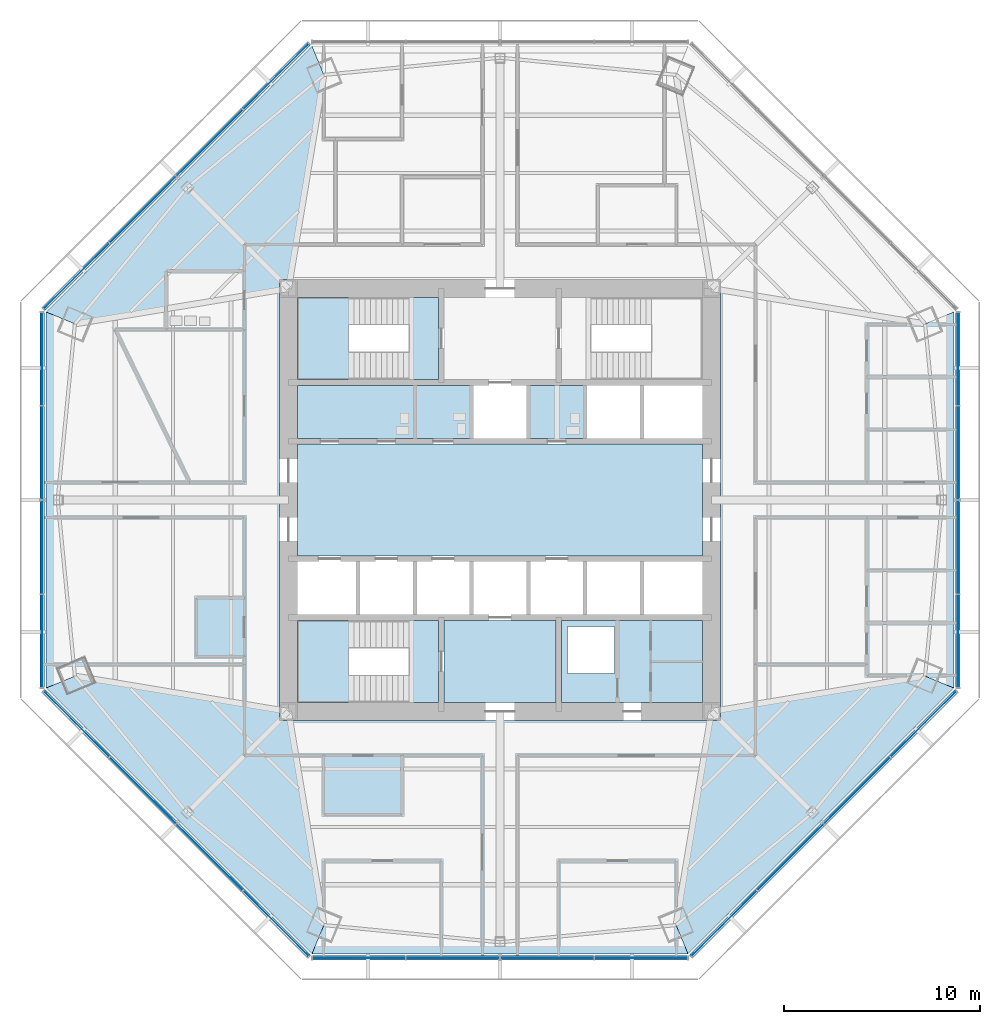
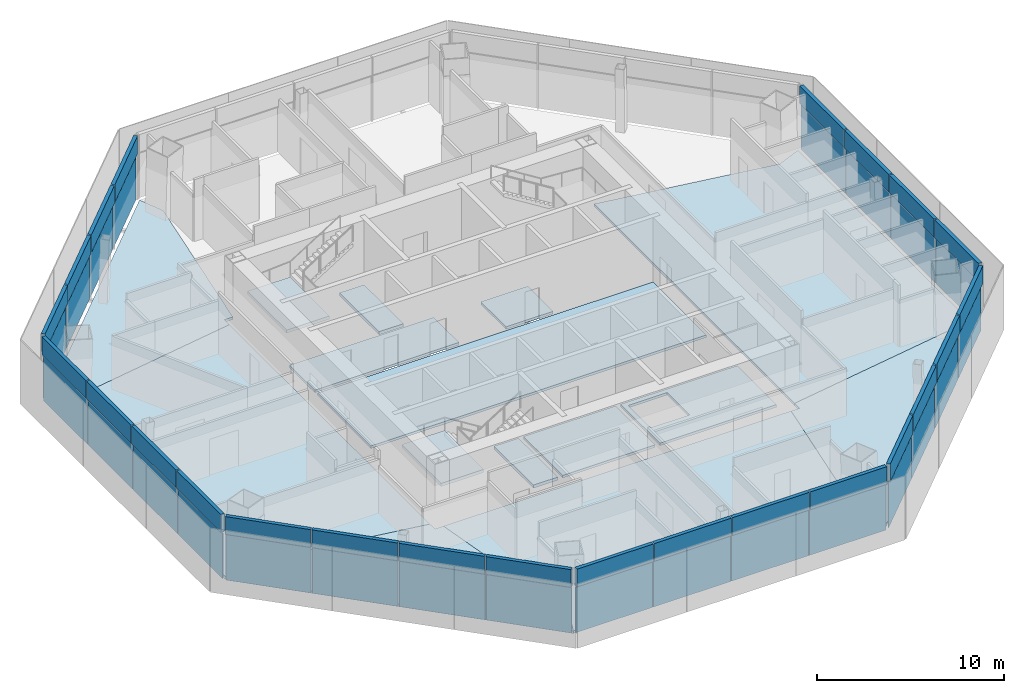
# One storey, part 7 of 15: 48 plates, 15 slabs, 8 elements without a shape of their own.
"""IFC4 building model written with IfcOpenShell, lengths in metres."""

from ifc_helpers import new_model, si_unit, direction, frame, origin, origin_2d, place, context, subcontext, project, spatial, polyline, rectangle, outline, extrude, source, transform, mapped, material, layer, layer_set, type_object, type_shapes, element, aggregate, save


model = new_model("IFC4")

# Units and contexts
model_context = context("Model", 3, precision=1e-05, world=origin(), true_north=direction((0.0, 1.0)))
body_context = subcontext(model_context, "Body", "Model", "MODEL_VIEW")
ifc_project = project(units=[si_unit("LENGTHUNIT", "METRE"), si_unit("AREAUNIT", "SQUARE_METRE"), si_unit("VOLUMEUNIT", "CUBIC_METRE"), si_unit("PLANEANGLEUNIT", "RADIAN"), si_unit("MASSUNIT", "GRAM", prefix="KILO")], contexts=[model_context])

# Site, building, storey
site_placement = place(None, origin())
site = spatial("IfcSite", under=ifc_project, at=site_placement, CompositionType="ELEMENT")
building_placement = place(site_placement, origin())
building = spatial("IfcBuilding", under=site, at=building_placement, Name="Mashrafa Tower", CompositionType="ELEMENT")
storey_placement = place(building_placement, frame((0.0, 0.0, 163.800048828125)))
storey = spatial("IfcBuildingStorey", under=building, at=storey_placement, Name="L37", CompositionType="ELEMENT", Elevation=163.800048828125)

# Slabs
ifc_material_1 = material(Name="Concrete C35/45", Category="concrete")
ifc_layer_1 = layer(ifc_material_1, 0.1650390625)
ifc_layer_set_1 = layer_set([ifc_layer_1], Name="Floor slab 165")
slab_type_1 = type_object("IfcSlabType", Name="Floor slab 165", PredefinedType="FLOOR", material=ifc_layer_set_1)
slab_1_placement = place(storey_placement, frame((0.0, 0.0, -0.1650390625)))
element("IfcSlab", 1, at=slab_1_placement, inside=storey, type_object=slab_type_1, Name="Floor slab L37 east bay", PredefinedType="FLOOR", context=body_context, shape_type="SweptSolid", body=[
    extrude(outline(polyline([(23.18115234375, -9.601806640625), (21.70751953125, -8.991455078125), (11.25, -10.725341796875), (11.25, 10.725341796875), (21.70751953125, 8.991455078125), (23.18115234375, 9.601806640625), (23.18115234375, -9.601806640625)])), origin(), (0.0, 0.0, 1.0), 0.1650390625),
])
slab_2_placement = place(storey_placement, frame((0.0, 0.0, -0.1650390625)))
element("IfcSlab", 2, at=slab_2_placement, inside=storey, type_object=slab_type_1, Name="Floor slab L37 north-west bay", PredefinedType="FLOOR", context=body_context, shape_type="SweptSolid", body=[
    extrude(outline(polyline([(-23.18115234375, 9.601806640625), (-9.601806640625, 23.18115234375), (-9.601806640625, 23.18115234375), (-8.991455078125, 21.70751953125), (-10.725341796875, 11.25), (-11.25, 11.25), (-11.25, 10.725341796875), (-21.70751953125, 8.991455078125), (-23.18115234375, 9.601806640625), (-23.18115234375, 9.601806640625)])), origin(), (0.0, 0.0, 1.0), 0.1650390625),
])
slab_3_placement = place(storey_placement, frame((0.0, 0.0, -0.1650390625)))
element("IfcSlab", 3, at=slab_3_placement, inside=storey, type_object=slab_type_1, Name="Floor slab L37 west bay", PredefinedType="FLOOR", context=body_context, shape_type="SweptSolid", body=[
    extrude(outline(polyline([(-23.18115234375, 9.601806640625), (-21.70751953125, 8.991455078125), (-11.25, 10.725341796875), (-11.25, -10.725341796875), (-21.70751953125, -8.991455078125), (-23.18115234375, -9.601806640625), (-23.18115234375, 9.601806640625)])), origin(), (0.0, 0.0, 1.0), 0.1650390625),
])
slab_4_placement = place(storey_placement, frame((0.0, 0.0, -0.1650390625)))
element("IfcSlab", 4, at=slab_4_placement, inside=storey, type_object=slab_type_1, Name="Floor slab L37 south-west bay", PredefinedType="FLOOR", context=body_context, shape_type="SweptSolid", body=[
    extrude(outline(polyline([(-9.601806640625, -23.18115234375), (-23.18115234375, -9.601806640625), (-23.18115234375, -9.601806640625), (-21.70751953125, -8.991455078125), (-11.25, -10.725341796875), (-11.25, -11.25), (-10.725341796875, -11.25), (-8.991455078125, -21.70751953125), (-9.601806640625, -23.18115234375), (-9.601806640625, -23.18115234375)])), origin(), (0.0, 0.0, 1.0), 0.1650390625),
])
slab_5_placement = place(storey_placement, frame((0.0, 0.0, -0.1650390625)))
element("IfcSlab", 5, at=slab_5_placement, inside=storey, type_object=slab_type_1, Name="Floor slab L37 south bay", PredefinedType="FLOOR", context=body_context, shape_type="SweptSolid", body=[
    extrude(outline(polyline([(-9.601806640625, -23.18115234375), (-8.991455078125, -21.70751953125), (-10.725341796875, -11.25), (10.725341796875, -11.25), (8.991455078125, -21.70751953125), (9.601806640625, -23.18115234375), (-9.601806640625, -23.18115234375)])), origin(), (0.0, 0.0, 1.0), 0.1650390625),
])
slab_6_placement = place(storey_placement, frame((0.0, 0.0, -0.1650390625)))
element("IfcSlab", 6, at=slab_6_placement, inside=storey, type_object=slab_type_1, Name="Floor slab L37 south-east bay", PredefinedType="FLOOR", context=body_context, shape_type="SweptSolid", body=[
    extrude(outline(polyline([(9.601806640625, -23.18115234375), (8.991455078125, -21.70751953125), (10.725341796875, -11.25), (11.25, -11.25), (11.25, -10.725341796875), (21.70751953125, -8.991455078125), (23.18115234375, -9.601806640625), (23.18115234375, -9.601806640625), (9.601806640625, -23.18115234375), (9.601806640625, -23.18115234375)])), origin(), (0.0, 0.0, 1.0), 0.1650390625),
])
slab_7_placement = place(storey_placement, frame((0.0, 0.0, -0.1650390625)))
element("IfcSlab", 7, at=slab_7_placement, inside=storey, type_object=slab_type_1, Name="Core floor lift hall L37", PredefinedType="FLOOR", context=body_context, shape_type="SweptSolid", body=[
    extrude(outline(polyline([(-10.35009765625, 2.85009765625), (10.35009765625, 2.85009765625), (10.35009765625, -2.85009765625), (-10.35009765625, -2.85009765625), (-10.35009765625, 2.85009765625)])), origin(), (0.0, 0.0, 1.0), 0.1650390625),
])
slab_8_placement = place(storey_placement, frame((0.0, 0.0, -0.1650390625)))
element("IfcSlab", 8, at=slab_8_placement, inside=storey, type_object=slab_type_1, Name="Core floor riser and electrical band L37", PredefinedType="FLOOR", context=body_context, shape_type="SweptSolid", body=[
    extrude(outline(polyline([(10.35009765625, -6.14990234375), (10.35009765625, -10.35009765625), (3.14990234375, -10.35009765625), (3.14990234375, -6.14990234375), (10.35009765625, -6.14990234375)]), holes=[polyline([(3.449951171875, -8.85009765625), (5.85009765625, -8.85009765625), (5.85009765625, -6.449951171875), (3.449951171875, -6.449951171875), (3.449951171875, -8.85009765625)])]), origin(), (0.0, 0.0, 1.0), 0.1650390625),
])
slab_9_placement = place(storey_placement, frame((0.0, 0.0, -0.1650390625)))
element("IfcSlab", 9, at=slab_9_placement, inside=storey, type_object=slab_type_1, Name="Core floor lift cell L37", PredefinedType="FLOOR", context=body_context, shape_type="SweptSolid", body=[
    extrude(outline(polyline([(-1.449951171875, 3.14990234375), (-10.35009765625, 3.14990234375), (-10.35009765625, 5.85009765625), (-1.449951171875, 5.85009765625), (-1.449951171875, 3.14990234375)])), origin(), (0.0, 0.0, 1.0), 0.1650390625),
])
slab_10_placement = place(storey_placement, frame((0.0, 0.0, -0.1650390625)))
element("IfcSlab", 10, at=slab_10_placement, inside=storey, type_object=slab_type_1, Name="Core floor fire-fighting lobby south L37", PredefinedType="FLOOR", context=body_context, shape_type="SweptSolid", body=[
    extrude(outline(polyline([(2.85009765625, -6.14990234375), (2.85009765625, -10.35009765625), (-2.85009765625, -10.35009765625), (-2.85009765625, -6.14990234375), (2.85009765625, -6.14990234375)])), origin(), (0.0, 0.0, 1.0), 0.1650390625),
])
slab_11_placement = place(storey_placement, frame((0.0, 0.0, -0.1650390625)))
element("IfcSlab", 11, at=slab_11_placement, inside=storey, type_object=slab_type_1, Name="Core floor lift cell L37", PredefinedType="FLOOR", context=body_context, shape_type="SweptSolid", body=[
    extrude(outline(polyline([(4.35009765625, 5.85009765625), (4.35009765625, 3.14990234375), (1.449951171875, 3.14990234375), (1.449951171875, 5.85009765625), (4.35009765625, 5.85009765625)])), origin(), (0.0, 0.0, 1.0), 0.1650390625),
])

# Stair, slabs
ifc_material_2 = material(Name="Exit stair 1400")
stair_type = type_object("IfcStairType", Name="Exit stair 1400", PredefinedType="HALF_TURN_STAIR", material=ifc_material_2)
stair_1_placement = place(storey_placement, origin())
stair_1 = element("IfcStair", 12, at=stair_1_placement, inside=storey, type_object=stair_type, Name="Stair S1 L37", PredefinedType="HALF_TURN_STAIR")
ifc_material_3 = material(Name="Concrete C32/40", Category="concrete")
ifc_layer_2 = layer(ifc_material_3, 0.199951171875)
ifc_layer_set_2 = layer_set([ifc_layer_2], Name="Stair landing 200")
slab_type_2 = type_object("IfcSlabType", Name="Stair landing 200", PredefinedType="LANDING", material=ifc_layer_set_2)
slab_12_placement = place(storey_placement, frame((0.0, 0.0, -0.199951171875)))
slab_12 = element("IfcSlab", 13, at=slab_12_placement, type_object=slab_type_2, Name="S1 landing 1", PredefinedType="LANDING", context=body_context, shape_type="SweptSolid", body=[
    extrude(outline(polyline([(-4.659912109375, 6.14990234375), (-3.14990234375, 6.14990234375), (-3.14990234375, 10.35009765625), (-4.659912109375, 10.35009765625), (-4.659912109375, 6.14990234375)])), origin(), (0.0, 0.0, 1.0), 0.199951171875),
])
slab_13_placement = place(storey_placement, frame((0.0, 0.0, 1.89990234375)))
slab_13 = element("IfcSlab", 14, at=slab_13_placement, type_object=slab_type_2, Name="S1 landing 2", PredefinedType="LANDING", context=body_context, shape_type="SweptSolid", body=[
    extrude(outline(polyline([(-10.35009765625, 6.14990234375), (-7.719970703125, 6.14990234375), (-7.719970703125, 10.35009765625), (-10.35009765625, 10.35009765625), (-10.35009765625, 6.14990234375)])), origin(), (0.0, 0.0, 1.0), 0.199951171875),
])
aggregate(stair_1, [slab_12, slab_13])

stair_2_placement = place(storey_placement, origin())
stair_2 = element("IfcStair", 15, at=stair_2_placement, inside=storey, type_object=stair_type, Name="Stair S3 L37", PredefinedType="HALF_TURN_STAIR")
slab_14_placement = place(storey_placement, frame((0.0, 0.0, -0.199951171875)))
slab_14 = element("IfcSlab", 16, at=slab_14_placement, type_object=slab_type_2, Name="S3 landing 1", PredefinedType="LANDING", context=body_context, shape_type="SweptSolid", body=[
    extrude(outline(polyline([(-4.659912109375, -10.35009765625), (-3.14990234375, -10.35009765625), (-3.14990234375, -6.14990234375), (-4.659912109375, -6.14990234375), (-4.659912109375, -10.35009765625)])), origin(), (0.0, 0.0, 1.0), 0.199951171875),
])
slab_15_placement = place(storey_placement, frame((0.0, 0.0, 1.89990234375)))
slab_15 = element("IfcSlab", 17, at=slab_15_placement, type_object=slab_type_2, Name="S3 landing 2", PredefinedType="LANDING", context=body_context, shape_type="SweptSolid", body=[
    extrude(outline(polyline([(-10.35009765625, -10.35009765625), (-7.719970703125, -10.35009765625), (-7.719970703125, -6.14990234375), (-10.35009765625, -6.14990234375), (-10.35009765625, -10.35009765625)])), origin(), (0.0, 0.0, 1.0), 0.199951171875),
])
aggregate(stair_2, [slab_14, slab_15])

# Curtain wall, plates
ifc_material_4 = material(Name="Unitised aluminium curtain wall", Category="aluminium")
curtain_wall_type = type_object("IfcCurtainWallType", Name="Office curtain wall, zone 2 CW-B 225 deep", PredefinedType="NOTDEFINED", material=ifc_material_4)
curtain_wall_1_placement = place(storey_placement, origin())
curtain_wall_1 = element("IfcCurtainWall", 18, at=curtain_wall_1_placement, inside=storey, type_object=curtain_wall_type, Name="Office curtain wall, zone 2 L37 east", PredefinedType="NOTDEFINED")
ifc_material_5 = material(Name="Insulated double glazing, low-e, neutral", Category="glass")
ifc_layer_3 = layer(ifc_material_5, 0.028076171875)
ifc_layer_set_3 = layer_set([ifc_layer_3], Name="Vision panel CW-B 28")
plate_type_1 = type_object("IfcPlateType", Name="Vision panel CW-B 28", PredefinedType="CURTAIN_PANEL", material=ifc_layer_set_3)
shared_shape_1 = source(origin(), body_context, "Body", "SweptSolid", [
    extrude(rectangle(XDim=4.716552734375, YDim=0.028076171875, at=origin_2d()), origin(), (0.0, 0.0, 1.0), 2.9599609375),
])
plate_1_placement = place(storey_placement, frame((23.381103515625, -7.204833984375, 0.0), z_axis=(0.0, 0.0, 1.0), x_axis=(0.0, 1.0, 0.0)))
plate_1 = element("IfcPlate", 19, at=plate_1_placement, type_object=plate_type_1, Name="CW-B vision panel 1", PredefinedType="CURTAIN_PANEL", context=body_context, shape_type="MappedRepresentation", body=[
    mapped(shared_shape_1, transform((0.0, 0.0, 0.0))),
])
plate_2_placement = place(storey_placement, frame((23.381103515625, 7.204833984375, 0.0), z_axis=(0.0, 0.0, 1.0), x_axis=(0.0, 1.0, 0.0)))
plate_2 = element("IfcPlate", 20, at=plate_2_placement, type_object=plate_type_1, Name="CW-B vision panel 4", PredefinedType="CURTAIN_PANEL", context=body_context, shape_type="MappedRepresentation", body=[
    mapped(shared_shape_1, transform((0.0, 0.0, 0.0))),
])

curtain_wall_2_placement = place(storey_placement, origin())
curtain_wall_2 = element("IfcCurtainWall", 21, at=curtain_wall_2_placement, inside=storey, type_object=curtain_wall_type, Name="Office curtain wall, zone 2 L37 north-west", PredefinedType="NOTDEFINED")
plate_3_placement = place(storey_placement, frame((-11.438232421875, 21.62744140625, 0.0), z_axis=(0.0, 0.0, 1.0), x_axis=(-0.707106781187, -0.707106781187, 0.0)))
plate_3 = element("IfcPlate", 22, at=plate_3_placement, type_object=plate_type_1, Name="CW-B vision panel 1", PredefinedType="CURTAIN_PANEL", context=body_context, shape_type="MappedRepresentation", body=[
    mapped(shared_shape_1, transform((0.0, 0.0, 0.0))),
])
plate_4_placement = place(storey_placement, frame((-21.62744140625, 11.438232421875, 0.0), z_axis=(0.0, 0.0, 1.0), x_axis=(-0.707106781187, -0.707106781187, 0.0)))
plate_4 = element("IfcPlate", 23, at=plate_4_placement, type_object=plate_type_1, Name="CW-B vision panel 4", PredefinedType="CURTAIN_PANEL", context=body_context, shape_type="MappedRepresentation", body=[
    mapped(shared_shape_1, transform((0.0, 0.0, 0.0))),
])

curtain_wall_3_placement = place(storey_placement, origin())
curtain_wall_3 = element("IfcCurtainWall", 24, at=curtain_wall_3_placement, inside=storey, type_object=curtain_wall_type, Name="Office curtain wall, zone 2 L37 west", PredefinedType="NOTDEFINED")
plate_5_placement = place(storey_placement, frame((-23.381103515625, 7.204833984375, 0.0), z_axis=(0.0, 0.0, 1.0), x_axis=(0.0, -1.0, 0.0)))
plate_5 = element("IfcPlate", 25, at=plate_5_placement, type_object=plate_type_1, Name="CW-B vision panel 1", PredefinedType="CURTAIN_PANEL", context=body_context, shape_type="MappedRepresentation", body=[
    mapped(shared_shape_1, transform((0.0, 0.0, 0.0))),
])
plate_6_placement = place(storey_placement, frame((-23.381103515625, -7.204833984375, 0.0), z_axis=(0.0, 0.0, 1.0), x_axis=(0.0, -1.0, 0.0)))
plate_6 = element("IfcPlate", 26, at=plate_6_placement, type_object=plate_type_1, Name="CW-B vision panel 4", PredefinedType="CURTAIN_PANEL", context=body_context, shape_type="MappedRepresentation", body=[
    mapped(shared_shape_1, transform((0.0, 0.0, 0.0))),
])

curtain_wall_4_placement = place(storey_placement, origin())
curtain_wall_4 = element("IfcCurtainWall", 27, at=curtain_wall_4_placement, inside=storey, type_object=curtain_wall_type, Name="Office curtain wall, zone 2 L37 south-west", PredefinedType="NOTDEFINED")
plate_7_placement = place(storey_placement, frame((-21.62744140625, -11.438232421875, 0.0), z_axis=(0.0, 0.0, 1.0), x_axis=(0.707106781187, -0.707106781187, 0.0)))
plate_7 = element("IfcPlate", 28, at=plate_7_placement, type_object=plate_type_1, Name="CW-B vision panel 1", PredefinedType="CURTAIN_PANEL", context=body_context, shape_type="MappedRepresentation", body=[
    mapped(shared_shape_1, transform((0.0, 0.0, 0.0))),
])
plate_8_placement = place(storey_placement, frame((-11.438232421875, -21.62744140625, 0.0), z_axis=(0.0, 0.0, 1.0), x_axis=(0.707106781187, -0.707106781187, 0.0)))
plate_8 = element("IfcPlate", 29, at=plate_8_placement, type_object=plate_type_1, Name="CW-B vision panel 4", PredefinedType="CURTAIN_PANEL", context=body_context, shape_type="MappedRepresentation", body=[
    mapped(shared_shape_1, transform((0.0, 0.0, 0.0))),
])

curtain_wall_5_placement = place(storey_placement, origin())
curtain_wall_5 = element("IfcCurtainWall", 30, at=curtain_wall_5_placement, inside=storey, type_object=curtain_wall_type, Name="Office curtain wall, zone 2 L37 south", PredefinedType="NOTDEFINED")
plate_9_placement = place(storey_placement, frame((-7.204833984375, -23.381103515625, 0.0), z_axis=(0.0, 0.0, 1.0), x_axis=(1.0, 0.0, 0.0)))
plate_9 = element("IfcPlate", 31, at=plate_9_placement, type_object=plate_type_1, Name="CW-B vision panel 1", PredefinedType="CURTAIN_PANEL", context=body_context, shape_type="MappedRepresentation", body=[
    mapped(shared_shape_1, transform((0.0, 0.0, 0.0))),
])
plate_10_placement = place(storey_placement, frame((7.204833984375, -23.381103515625, 0.0), z_axis=(0.0, 0.0, 1.0), x_axis=(1.0, 0.0, 0.0)))
plate_10 = element("IfcPlate", 32, at=plate_10_placement, type_object=plate_type_1, Name="CW-B vision panel 4", PredefinedType="CURTAIN_PANEL", context=body_context, shape_type="MappedRepresentation", body=[
    mapped(shared_shape_1, transform((0.0, 0.0, 0.0))),
])

curtain_wall_6_placement = place(storey_placement, origin())
curtain_wall_6 = element("IfcCurtainWall", 33, at=curtain_wall_6_placement, inside=storey, type_object=curtain_wall_type, Name="Office curtain wall, zone 2 L37 south-east", PredefinedType="NOTDEFINED")
plate_11_placement = place(storey_placement, frame((11.438232421875, -21.62744140625, 0.0), z_axis=(0.0, 0.0, 1.0), x_axis=(0.707106781187, 0.707106781187, 0.0)))
plate_11 = element("IfcPlate", 34, at=plate_11_placement, type_object=plate_type_1, Name="CW-B vision panel 1", PredefinedType="CURTAIN_PANEL", context=body_context, shape_type="MappedRepresentation", body=[
    mapped(shared_shape_1, transform((0.0, 0.0, 0.0))),
])
plate_12_placement = place(storey_placement, frame((21.62744140625, -11.438232421875, 0.0), z_axis=(0.0, 0.0, 1.0), x_axis=(0.707106781187, 0.707106781187, 0.0)))
plate_12 = element("IfcPlate", 35, at=plate_12_placement, type_object=plate_type_1, Name="CW-B vision panel 4", PredefinedType="CURTAIN_PANEL", context=body_context, shape_type="MappedRepresentation", body=[
    mapped(shared_shape_1, transform((0.0, 0.0, 0.0))),
])

# Plate
ifc_material_6 = material(Name="Insulated aluminium spandrel panel", Category="aluminium")
ifc_layer_4 = layer(ifc_material_6, 0.219970703125)
ifc_layer_set_4 = layer_set([ifc_layer_4], Name="Spandrel panel CW-B 220")
plate_type_2 = type_object("IfcPlateType", Name="Spandrel panel CW-B 220", PredefinedType="CURTAIN_PANEL", material=ifc_layer_set_4)
shared_shape_2 = source(origin(), body_context, "Body", "SweptSolid", [
    extrude(rectangle(XDim=4.716552734375, YDim=0.219970703125, at=origin_2d()), origin(), (0.0, 0.0, 1.0), 1.159912109375),
])
plate_13_placement = place(storey_placement, frame((23.381103515625, -7.204833984375, 3.0400390625), z_axis=(0.0, 0.0, 1.0), x_axis=(0.0, 1.0, 0.0)))
plate_13 = element("IfcPlate", 36, at=plate_13_placement, type_object=plate_type_2, Name="CW-B spandrel panel 1", PredefinedType="CURTAIN_PANEL", context=body_context, shape_type="MappedRepresentation", body=[
    mapped(shared_shape_2, transform((0.0, 0.0, 0.0))),
])

plate_14_placement = place(storey_placement, frame((23.381103515625, 7.204833984375, 3.0400390625), z_axis=(0.0, 0.0, 1.0), x_axis=(0.0, 1.0, 0.0)))
plate_14 = element("IfcPlate", 37, at=plate_14_placement, type_object=plate_type_2, Name="CW-B spandrel panel 4", PredefinedType="CURTAIN_PANEL", context=body_context, shape_type="MappedRepresentation", body=[
    mapped(shared_shape_2, transform((0.0, 0.0, 0.0))),
])

plate_15_placement = place(storey_placement, frame((-11.438232421875, 21.62744140625, 3.0400390625), z_axis=(0.0, 0.0, 1.0), x_axis=(-0.707106781187, -0.707106781187, 0.0)))
plate_15 = element("IfcPlate", 38, at=plate_15_placement, type_object=plate_type_2, Name="CW-B spandrel panel 1", PredefinedType="CURTAIN_PANEL", context=body_context, shape_type="MappedRepresentation", body=[
    mapped(shared_shape_2, transform((0.0, 0.0, 0.0))),
])

plate_16_placement = place(storey_placement, frame((-21.62744140625, 11.438232421875, 3.0400390625), z_axis=(0.0, 0.0, 1.0), x_axis=(-0.707106781187, -0.707106781187, 0.0)))
plate_16 = element("IfcPlate", 39, at=plate_16_placement, type_object=plate_type_2, Name="CW-B spandrel panel 4", PredefinedType="CURTAIN_PANEL", context=body_context, shape_type="MappedRepresentation", body=[
    mapped(shared_shape_2, transform((0.0, 0.0, 0.0))),
])

plate_17_placement = place(storey_placement, frame((-23.381103515625, 7.204833984375, 3.0400390625), z_axis=(0.0, 0.0, 1.0), x_axis=(0.0, -1.0, 0.0)))
plate_17 = element("IfcPlate", 40, at=plate_17_placement, type_object=plate_type_2, Name="CW-B spandrel panel 1", PredefinedType="CURTAIN_PANEL", context=body_context, shape_type="MappedRepresentation", body=[
    mapped(shared_shape_2, transform((0.0, 0.0, 0.0))),
])

plate_18_placement = place(storey_placement, frame((-23.381103515625, -7.204833984375, 3.0400390625), z_axis=(0.0, 0.0, 1.0), x_axis=(0.0, -1.0, 0.0)))
plate_18 = element("IfcPlate", 41, at=plate_18_placement, type_object=plate_type_2, Name="CW-B spandrel panel 4", PredefinedType="CURTAIN_PANEL", context=body_context, shape_type="MappedRepresentation", body=[
    mapped(shared_shape_2, transform((0.0, 0.0, 0.0))),
])

plate_19_placement = place(storey_placement, frame((-21.62744140625, -11.438232421875, 3.0400390625), z_axis=(0.0, 0.0, 1.0), x_axis=(0.707106781187, -0.707106781187, 0.0)))
plate_19 = element("IfcPlate", 42, at=plate_19_placement, type_object=plate_type_2, Name="CW-B spandrel panel 1", PredefinedType="CURTAIN_PANEL", context=body_context, shape_type="MappedRepresentation", body=[
    mapped(shared_shape_2, transform((0.0, 0.0, 0.0))),
])

plate_20_placement = place(storey_placement, frame((-11.438232421875, -21.62744140625, 3.0400390625), z_axis=(0.0, 0.0, 1.0), x_axis=(0.707106781187, -0.707106781187, 0.0)))
plate_20 = element("IfcPlate", 43, at=plate_20_placement, type_object=plate_type_2, Name="CW-B spandrel panel 4", PredefinedType="CURTAIN_PANEL", context=body_context, shape_type="MappedRepresentation", body=[
    mapped(shared_shape_2, transform((0.0, 0.0, 0.0))),
])

plate_21_placement = place(storey_placement, frame((-7.204833984375, -23.381103515625, 3.0400390625), z_axis=(0.0, 0.0, 1.0), x_axis=(1.0, 0.0, 0.0)))
plate_21 = element("IfcPlate", 44, at=plate_21_placement, type_object=plate_type_2, Name="CW-B spandrel panel 1", PredefinedType="CURTAIN_PANEL", context=body_context, shape_type="MappedRepresentation", body=[
    mapped(shared_shape_2, transform((0.0, 0.0, 0.0))),
])

plate_22_placement = place(storey_placement, frame((7.204833984375, -23.381103515625, 3.0400390625), z_axis=(0.0, 0.0, 1.0), x_axis=(1.0, 0.0, 0.0)))
plate_22 = element("IfcPlate", 45, at=plate_22_placement, type_object=plate_type_2, Name="CW-B spandrel panel 4", PredefinedType="CURTAIN_PANEL", context=body_context, shape_type="MappedRepresentation", body=[
    mapped(shared_shape_2, transform((0.0, 0.0, 0.0))),
])

plate_23_placement = place(storey_placement, frame((11.438232421875, -21.62744140625, 3.0400390625), z_axis=(0.0, 0.0, 1.0), x_axis=(0.707106781187, 0.707106781187, 0.0)))
plate_23 = element("IfcPlate", 46, at=plate_23_placement, type_object=plate_type_2, Name="CW-B spandrel panel 1", PredefinedType="CURTAIN_PANEL", context=body_context, shape_type="MappedRepresentation", body=[
    mapped(shared_shape_2, transform((0.0, 0.0, 0.0))),
])

plate_24_placement = place(storey_placement, frame((21.62744140625, -11.438232421875, 3.0400390625), z_axis=(0.0, 0.0, 1.0), x_axis=(0.707106781187, 0.707106781187, 0.0)))
plate_24 = element("IfcPlate", 47, at=plate_24_placement, type_object=plate_type_2, Name="CW-B spandrel panel 4", PredefinedType="CURTAIN_PANEL", context=body_context, shape_type="MappedRepresentation", body=[
    mapped(shared_shape_2, transform((0.0, 0.0, 0.0))),
])

shared_shape_3 = source(origin(), body_context, "Body", "SweptSolid", [
    extrude(rectangle(XDim=4.7490234375, YDim=0.028076171875, at=origin_2d()), origin(), (0.0, 0.0, 1.0), 2.9599609375),
])
type_shapes(plate_type_1, [shared_shape_1, shared_shape_3])
plate_25_placement = place(storey_placement, frame((23.381103515625, -2.406982421875, 0.0), z_axis=(0.0, 0.0, 1.0), x_axis=(0.0, 1.0, 0.0)))
plate_25 = element("IfcPlate", 48, at=plate_25_placement, type_object=plate_type_1, Name="CW-B vision panel 2", PredefinedType="CURTAIN_PANEL", context=body_context, shape_type="MappedRepresentation", body=[
    mapped(shared_shape_3, transform((0.0, 0.0, 0.0))),
])

plate_26_placement = place(storey_placement, frame((23.381103515625, 2.406982421875, 0.0), z_axis=(0.0, 0.0, 1.0), x_axis=(0.0, 1.0, 0.0)))
plate_26 = element("IfcPlate", 49, at=plate_26_placement, type_object=plate_type_1, Name="CW-B vision panel 3", PredefinedType="CURTAIN_PANEL", context=body_context, shape_type="MappedRepresentation", body=[
    mapped(shared_shape_3, transform((0.0, 0.0, 0.0))),
])

plate_27_placement = place(storey_placement, frame((-14.830810546875, 18.23486328125, 0.0), z_axis=(0.0, 0.0, 1.0), x_axis=(-0.707106781187, -0.707106781187, 0.0)))
plate_27 = element("IfcPlate", 50, at=plate_27_placement, type_object=plate_type_1, Name="CW-B vision panel 2", PredefinedType="CURTAIN_PANEL", context=body_context, shape_type="MappedRepresentation", body=[
    mapped(shared_shape_3, transform((0.0, 0.0, 0.0))),
])

plate_28_placement = place(storey_placement, frame((-18.23486328125, 14.830810546875, 0.0), z_axis=(0.0, 0.0, 1.0), x_axis=(-0.707106781187, -0.707106781187, 0.0)))
plate_28 = element("IfcPlate", 51, at=plate_28_placement, type_object=plate_type_1, Name="CW-B vision panel 3", PredefinedType="CURTAIN_PANEL", context=body_context, shape_type="MappedRepresentation", body=[
    mapped(shared_shape_3, transform((0.0, 0.0, 0.0))),
])

plate_29_placement = place(storey_placement, frame((-23.381103515625, 2.406982421875, 0.0), z_axis=(0.0, 0.0, 1.0), x_axis=(0.0, -1.0, 0.0)))
plate_29 = element("IfcPlate", 52, at=plate_29_placement, type_object=plate_type_1, Name="CW-B vision panel 2", PredefinedType="CURTAIN_PANEL", context=body_context, shape_type="MappedRepresentation", body=[
    mapped(shared_shape_3, transform((0.0, 0.0, 0.0))),
])

plate_30_placement = place(storey_placement, frame((-23.381103515625, -2.406982421875, 0.0), z_axis=(0.0, 0.0, 1.0), x_axis=(0.0, -1.0, 0.0)))
plate_30 = element("IfcPlate", 53, at=plate_30_placement, type_object=plate_type_1, Name="CW-B vision panel 3", PredefinedType="CURTAIN_PANEL", context=body_context, shape_type="MappedRepresentation", body=[
    mapped(shared_shape_3, transform((0.0, 0.0, 0.0))),
])

plate_31_placement = place(storey_placement, frame((-18.23486328125, -14.830810546875, 0.0), z_axis=(0.0, 0.0, 1.0), x_axis=(0.707106781187, -0.707106781187, 0.0)))
plate_31 = element("IfcPlate", 54, at=plate_31_placement, type_object=plate_type_1, Name="CW-B vision panel 2", PredefinedType="CURTAIN_PANEL", context=body_context, shape_type="MappedRepresentation", body=[
    mapped(shared_shape_3, transform((0.0, 0.0, 0.0))),
])

plate_32_placement = place(storey_placement, frame((-14.830810546875, -18.23486328125, 0.0), z_axis=(0.0, 0.0, 1.0), x_axis=(0.707106781187, -0.707106781187, 0.0)))
plate_32 = element("IfcPlate", 55, at=plate_32_placement, type_object=plate_type_1, Name="CW-B vision panel 3", PredefinedType="CURTAIN_PANEL", context=body_context, shape_type="MappedRepresentation", body=[
    mapped(shared_shape_3, transform((0.0, 0.0, 0.0))),
])

plate_33_placement = place(storey_placement, frame((-2.406982421875, -23.381103515625, 0.0), z_axis=(0.0, 0.0, 1.0), x_axis=(1.0, 0.0, 0.0)))
plate_33 = element("IfcPlate", 56, at=plate_33_placement, type_object=plate_type_1, Name="CW-B vision panel 2", PredefinedType="CURTAIN_PANEL", context=body_context, shape_type="MappedRepresentation", body=[
    mapped(shared_shape_3, transform((0.0, 0.0, 0.0))),
])

plate_34_placement = place(storey_placement, frame((2.406982421875, -23.381103515625, 0.0), z_axis=(0.0, 0.0, 1.0), x_axis=(1.0, 0.0, 0.0)))
plate_34 = element("IfcPlate", 57, at=plate_34_placement, type_object=plate_type_1, Name="CW-B vision panel 3", PredefinedType="CURTAIN_PANEL", context=body_context, shape_type="MappedRepresentation", body=[
    mapped(shared_shape_3, transform((0.0, 0.0, 0.0))),
])

plate_35_placement = place(storey_placement, frame((14.830810546875, -18.23486328125, 0.0), z_axis=(0.0, 0.0, 1.0), x_axis=(0.707106781187, 0.707106781187, 0.0)))
plate_35 = element("IfcPlate", 58, at=plate_35_placement, type_object=plate_type_1, Name="CW-B vision panel 2", PredefinedType="CURTAIN_PANEL", context=body_context, shape_type="MappedRepresentation", body=[
    mapped(shared_shape_3, transform((0.0, 0.0, 0.0))),
])

plate_36_placement = place(storey_placement, frame((18.23486328125, -14.830810546875, 0.0), z_axis=(0.0, 0.0, 1.0), x_axis=(0.707106781187, 0.707106781187, 0.0)))
plate_36 = element("IfcPlate", 59, at=plate_36_placement, type_object=plate_type_1, Name="CW-B vision panel 3", PredefinedType="CURTAIN_PANEL", context=body_context, shape_type="MappedRepresentation", body=[
    mapped(shared_shape_3, transform((0.0, 0.0, 0.0))),
])

shared_shape_4 = source(origin(), body_context, "Body", "SweptSolid", [
    extrude(rectangle(XDim=4.7490234375, YDim=0.219970703125, at=origin_2d()), origin(), (0.0, 0.0, 1.0), 1.159912109375),
])
type_shapes(plate_type_2, [shared_shape_2, shared_shape_4])
plate_37_placement = place(storey_placement, frame((23.381103515625, -2.406982421875, 3.0400390625), z_axis=(0.0, 0.0, 1.0), x_axis=(0.0, 1.0, 0.0)))
plate_37 = element("IfcPlate", 60, at=plate_37_placement, type_object=plate_type_2, Name="CW-B spandrel panel 2", PredefinedType="CURTAIN_PANEL", context=body_context, shape_type="MappedRepresentation", body=[
    mapped(shared_shape_4, transform((0.0, 0.0, 0.0))),
])

plate_38_placement = place(storey_placement, frame((23.381103515625, 2.406982421875, 3.0400390625), z_axis=(0.0, 0.0, 1.0), x_axis=(0.0, 1.0, 0.0)))
plate_38 = element("IfcPlate", 61, at=plate_38_placement, type_object=plate_type_2, Name="CW-B spandrel panel 3", PredefinedType="CURTAIN_PANEL", context=body_context, shape_type="MappedRepresentation", body=[
    mapped(shared_shape_4, transform((0.0, 0.0, 0.0))),
])

aggregate(curtain_wall_1, [plate_1, plate_13, plate_25, plate_37, plate_26, plate_38, plate_2, plate_14])

plate_39_placement = place(storey_placement, frame((-14.830810546875, 18.23486328125, 3.0400390625), z_axis=(0.0, 0.0, 1.0), x_axis=(-0.707106781187, -0.707106781187, 0.0)))
plate_39 = element("IfcPlate", 62, at=plate_39_placement, type_object=plate_type_2, Name="CW-B spandrel panel 2", PredefinedType="CURTAIN_PANEL", context=body_context, shape_type="MappedRepresentation", body=[
    mapped(shared_shape_4, transform((0.0, 0.0, 0.0))),
])

plate_40_placement = place(storey_placement, frame((-18.23486328125, 14.830810546875, 3.0400390625), z_axis=(0.0, 0.0, 1.0), x_axis=(-0.707106781187, -0.707106781187, 0.0)))
plate_40 = element("IfcPlate", 63, at=plate_40_placement, type_object=plate_type_2, Name="CW-B spandrel panel 3", PredefinedType="CURTAIN_PANEL", context=body_context, shape_type="MappedRepresentation", body=[
    mapped(shared_shape_4, transform((0.0, 0.0, 0.0))),
])

aggregate(curtain_wall_2, [plate_3, plate_15, plate_27, plate_39, plate_28, plate_40, plate_4, plate_16])

plate_41_placement = place(storey_placement, frame((-23.381103515625, 2.406982421875, 3.0400390625), z_axis=(0.0, 0.0, 1.0), x_axis=(0.0, -1.0, 0.0)))
plate_41 = element("IfcPlate", 64, at=plate_41_placement, type_object=plate_type_2, Name="CW-B spandrel panel 2", PredefinedType="CURTAIN_PANEL", context=body_context, shape_type="MappedRepresentation", body=[
    mapped(shared_shape_4, transform((0.0, 0.0, 0.0))),
])

plate_42_placement = place(storey_placement, frame((-23.381103515625, -2.406982421875, 3.0400390625), z_axis=(0.0, 0.0, 1.0), x_axis=(0.0, -1.0, 0.0)))
plate_42 = element("IfcPlate", 65, at=plate_42_placement, type_object=plate_type_2, Name="CW-B spandrel panel 3", PredefinedType="CURTAIN_PANEL", context=body_context, shape_type="MappedRepresentation", body=[
    mapped(shared_shape_4, transform((0.0, 0.0, 0.0))),
])

aggregate(curtain_wall_3, [plate_5, plate_17, plate_29, plate_41, plate_30, plate_42, plate_6, plate_18])

plate_43_placement = place(storey_placement, frame((-18.23486328125, -14.830810546875, 3.0400390625), z_axis=(0.0, 0.0, 1.0), x_axis=(0.707106781187, -0.707106781187, 0.0)))
plate_43 = element("IfcPlate", 66, at=plate_43_placement, type_object=plate_type_2, Name="CW-B spandrel panel 2", PredefinedType="CURTAIN_PANEL", context=body_context, shape_type="MappedRepresentation", body=[
    mapped(shared_shape_4, transform((0.0, 0.0, 0.0))),
])

plate_44_placement = place(storey_placement, frame((-14.830810546875, -18.23486328125, 3.0400390625), z_axis=(0.0, 0.0, 1.0), x_axis=(0.707106781187, -0.707106781187, 0.0)))
plate_44 = element("IfcPlate", 67, at=plate_44_placement, type_object=plate_type_2, Name="CW-B spandrel panel 3", PredefinedType="CURTAIN_PANEL", context=body_context, shape_type="MappedRepresentation", body=[
    mapped(shared_shape_4, transform((0.0, 0.0, 0.0))),
])

aggregate(curtain_wall_4, [plate_7, plate_19, plate_31, plate_43, plate_32, plate_44, plate_8, plate_20])

plate_45_placement = place(storey_placement, frame((-2.406982421875, -23.381103515625, 3.0400390625), z_axis=(0.0, 0.0, 1.0), x_axis=(1.0, 0.0, 0.0)))
plate_45 = element("IfcPlate", 68, at=plate_45_placement, type_object=plate_type_2, Name="CW-B spandrel panel 2", PredefinedType="CURTAIN_PANEL", context=body_context, shape_type="MappedRepresentation", body=[
    mapped(shared_shape_4, transform((0.0, 0.0, 0.0))),
])

plate_46_placement = place(storey_placement, frame((2.406982421875, -23.381103515625, 3.0400390625), z_axis=(0.0, 0.0, 1.0), x_axis=(1.0, 0.0, 0.0)))
plate_46 = element("IfcPlate", 69, at=plate_46_placement, type_object=plate_type_2, Name="CW-B spandrel panel 3", PredefinedType="CURTAIN_PANEL", context=body_context, shape_type="MappedRepresentation", body=[
    mapped(shared_shape_4, transform((0.0, 0.0, 0.0))),
])

aggregate(curtain_wall_5, [plate_9, plate_21, plate_33, plate_45, plate_34, plate_46, plate_10, plate_22])

plate_47_placement = place(storey_placement, frame((14.830810546875, -18.23486328125, 3.0400390625), z_axis=(0.0, 0.0, 1.0), x_axis=(0.707106781187, 0.707106781187, 0.0)))
plate_47 = element("IfcPlate", 70, at=plate_47_placement, type_object=plate_type_2, Name="CW-B spandrel panel 2", PredefinedType="CURTAIN_PANEL", context=body_context, shape_type="MappedRepresentation", body=[
    mapped(shared_shape_4, transform((0.0, 0.0, 0.0))),
])

plate_48_placement = place(storey_placement, frame((18.23486328125, -14.830810546875, 3.0400390625), z_axis=(0.0, 0.0, 1.0), x_axis=(0.707106781187, 0.707106781187, 0.0)))
plate_48 = element("IfcPlate", 71, at=plate_48_placement, type_object=plate_type_2, Name="CW-B spandrel panel 3", PredefinedType="CURTAIN_PANEL", context=body_context, shape_type="MappedRepresentation", body=[
    mapped(shared_shape_4, transform((0.0, 0.0, 0.0))),
])

aggregate(curtain_wall_6, [plate_11, plate_23, plate_35, plate_47, plate_36, plate_48, plate_12, plate_24])

save(model, "model.ifc")
